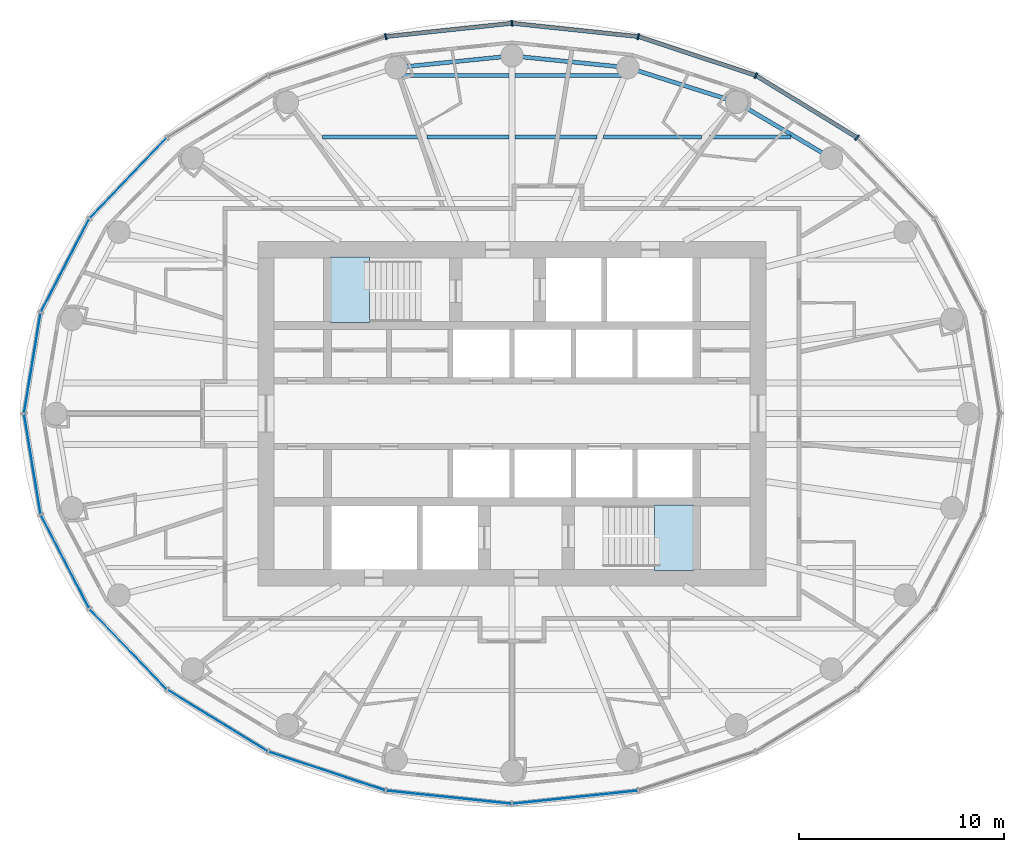
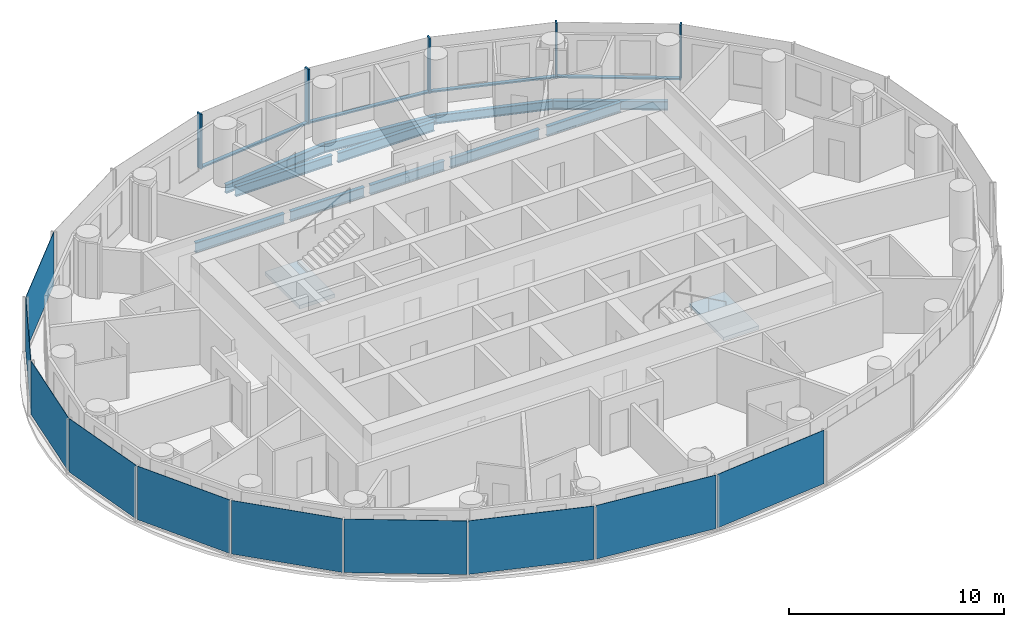
# One storey, part 4 of 13: 11 beams, 10 plates, 9 members, 2 slabs, 6 elements without a shape of their own.
"""IFC4 building model written with IfcOpenShell, lengths in metres."""

from ifc_helpers import new_model, si_unit, direction, frame, origin, origin_2d, place, context, subcontext, project, spatial, polyline, rectangle, i_section, outline, extrude, material, layer, layer_set, material_profile, profile_set, type_object, element, aggregate, save


model = new_model("IFC4")

# Units and contexts
model_context = context("Model", 3, precision=1e-05, world=origin(), true_north=direction((0.0, 1.0)))
body_context = subcontext(model_context, "Body", "Model", "MODEL_VIEW")
ifc_project = project(units=[si_unit("LENGTHUNIT", "METRE"), si_unit("AREAUNIT", "SQUARE_METRE"), si_unit("VOLUMEUNIT", "CUBIC_METRE"), si_unit("PLANEANGLEUNIT", "RADIAN"), si_unit("MASSUNIT", "GRAM", prefix="KILO")], contexts=[model_context])

# Site, building, storey
site_placement = place(None, origin())
site = spatial("IfcSite", under=ifc_project, at=site_placement, CompositionType="ELEMENT")
building_placement = place(site_placement, origin())
building = spatial("IfcBuilding", under=site, at=building_placement, Name="Hankou Lantern Tower", CompositionType="ELEMENT")
storey_placement = place(building_placement, frame((0.0, 0.0, 156.60009765625)))
storey = spatial("IfcBuildingStorey", under=building, at=storey_placement, Name="L41", CompositionType="ELEMENT", Elevation=156.60009765625)

# Beams
ifc_material_1 = material(Name="Steel Q355B", Category="steel")
ifc_material_profile_1 = material_profile(ifc_material_1, i_section(OverallWidth=0.199951171875, OverallDepth=0.5, WebThickness=0.010009765625, FlangeThickness=0.01611328125, FilletRadius=0.012939453125, at=origin_2d()), Name="HN500x200x10x16")
ifc_profile_set_1 = profile_set([ifc_material_profile_1], Name="Steel Q355B")
beam_type_1 = type_object("IfcBeamType", Name="EB5 RING BEAM HN500x200x10x16", PredefinedType="SPANDREL", material=ifc_profile_set_1)
beam_1_placement = place(storey_placement, frame((15.576171875, 12.4609375, -0.43017578125), z_axis=(-0.861135888339, 0.508374843806, 0.0), x_axis=(-0.508374843806, -0.861135888339, 0.0)))
element("IfcBeam", 1, at=beam_1_placement, inside=storey, type_object=beam_type_1, Name="Ring beam R04-R05 L41", PredefinedType="SPANDREL", context=body_context, shape_type="SweptSolid", body=[
    extrude(i_section(OverallWidth=0.199951171875, OverallDepth=0.5, WebThickness=0.010009765625, FlangeThickness=0.01611328125, FilletRadius=0.012939453125, at=origin_2d()), origin(), (0.0, 0.0, 1.0), 5.36083984375),
])
beam_2_placement = place(storey_placement, frame((10.959716796875, 15.186279296875, -0.43017578125), z_axis=(-0.952790404271, 0.30362879562, 0.0), x_axis=(-0.30362879562, -0.952790404271, 0.0)))
element("IfcBeam", 2, at=beam_2_placement, inside=storey, type_object=beam_type_1, Name="Ring beam R05-R06 L41", PredefinedType="SPANDREL", context=body_context, shape_type="SweptSolid", body=[
    extrude(i_section(OverallWidth=0.199951171875, OverallDepth=0.5, WebThickness=0.010009765625, FlangeThickness=0.01611328125, FilletRadius=0.012939453125, at=origin_2d()), origin(), (0.0, 0.0, 1.0), 5.56982421875),
])
for number, where, z_axis, x_axis, name in (
    (3, (5.65283203125, 16.87744140625, -0.43017578125), (-0.9949104636, 0.100762936734, 0.0), (-0.100762936734, -0.9949104636, 0.0), "Ring beam R06-R07 L41"),
    (4, (0.0, 17.449951171875, -0.43017578125), (-0.9949104636, -0.100762936734, 0.0), (0.100762936734, -0.9949104636, 0.0), "Ring beam R07-R08 L41"),
):
    element("IfcBeam", number, at=place(storey_placement, frame(where, z_axis=z_axis, x_axis=x_axis)), inside=storey, type_object=beam_type_1, Name=name, PredefinedType="SPANDREL", context=body_context, shape_type="SweptSolid", body=[
        extrude(i_section(OverallWidth=0.199951171875, OverallDepth=0.5, WebThickness=0.010009765625, FlangeThickness=0.01611328125, FilletRadius=0.012939453125, at=origin_2d()), origin(), (0.0, 0.0, 1.0), 5.681640625),
    ])

# Curtain wall, members
ifc_material_2 = material(Name="Glass, dark grey tinted laminated", Category="glass")
curtain_wall_type = type_object("IfcCurtainWallType", Name="CWC OUTER SKIN HIGH-RISE", PredefinedType="USERDEFINED", material=ifc_material_2)
curtain_wall_1_placement = place(storey_placement, origin())
curtain_wall_1 = element("IfcCurtainWall", 5, at=curtain_wall_1_placement, inside=storey, type_object=curtain_wall_type, Name="CWC L41 OS1", ObjectType="OUTER SKIN HIGH-RISE", PredefinedType="USERDEFINED")
ifc_material_3 = material(Name="Aluminium, black anodised", Category="aluminium")
ifc_material_profile_2 = material_profile(ifc_material_3, rectangle(XDim=0.080078125, YDim=0.300048828125, at=origin_2d()), Name="MU1 80X300")
ifc_profile_set_2 = profile_set([ifc_material_profile_2], Name="Aluminium, black anodised")
member_type_1 = type_object("IfcMemberType", Name="MU1 OUTER SKIN MULLION 80X300", PredefinedType="MULLION", material=ifc_profile_set_2)
member_1_placement = place(storey_placement, frame((16.8291015625, 13.46337890625, 0.0), z_axis=(0.0, 0.0, 1.0), x_axis=(-0.780868809444, 0.624695047553, 0.0)))
member_1 = element("IfcMember", 6, at=member_1_placement, type_object=member_type_1, Name="CWC mullion 4", PredefinedType="MULLION", context=body_context, shape_type="SweptSolid", body=[
    extrude(rectangle(XDim=0.080078125, YDim=0.300048828125, at=origin_2d()), origin(), (0.0, 0.0, 1.0), 3.119873046875),
])
member_2_placement = place(storey_placement, frame((11.89990234375, 16.489013671875, 0.0), z_axis=(0.0, 0.0, 1.0), x_axis=(-0.907841299004, 0.419313934686, 0.0)))
member_2 = element("IfcMember", 7, at=member_2_placement, type_object=member_type_1, Name="CWC mullion 5", PredefinedType="MULLION", context=body_context, shape_type="SweptSolid", body=[
    extrude(rectangle(XDim=0.080078125, YDim=0.300048828125, at=origin_2d()), origin(), (0.0, 0.0, 1.0), 3.119873046875),
])
member_3_placement = place(storey_placement, frame((6.159912109375, 18.39111328125, 0.0), z_axis=(0.0, 0.0, 1.0), x_axis=(-0.977787659625, 0.209597931016, 0.0)))
member_3 = element("IfcMember", 8, at=member_3_placement, type_object=member_type_1, Name="CWC mullion 6", PredefinedType="MULLION", context=body_context, shape_type="SweptSolid", body=[
    extrude(rectangle(XDim=0.080078125, YDim=0.300048828125, at=origin_2d()), origin(), (0.0, 0.0, 1.0), 3.119873046875),
])

curtain_wall_2_placement = place(storey_placement, origin())
curtain_wall_2 = element("IfcCurtainWall", 9, at=curtain_wall_2_placement, inside=storey, type_object=curtain_wall_type, Name="CWC L41 OS2", ObjectType="OUTER SKIN HIGH-RISE", PredefinedType="USERDEFINED")
member_4_placement = place(storey_placement, frame((0.0, 19.0400390625, 0.0), z_axis=(0.0, 0.0, 1.0), x_axis=(-0.994499359107, -0.104742659579, 0.0)))
member_4 = element("IfcMember", 10, at=member_4_placement, type_object=member_type_1, Name="CWC mullion 1", PredefinedType="MULLION", context=body_context, shape_type="SweptSolid", body=[
    extrude(rectangle(XDim=0.080078125, YDim=0.300048828125, at=origin_2d()), origin(), (0.0, 0.0, 1.0), 3.119873046875),
])
member_5_placement = place(storey_placement, frame((-6.159912109375, 18.39111328125, 0.0), z_axis=(0.0, 0.0, 1.0), x_axis=(-0.977787659625, -0.209597931016, 0.0)))
member_5 = element("IfcMember", 11, at=member_5_placement, type_object=member_type_1, Name="CWC mullion 2", PredefinedType="MULLION", context=body_context, shape_type="SweptSolid", body=[
    extrude(rectangle(XDim=0.080078125, YDim=0.300048828125, at=origin_2d()), origin(), (0.0, 0.0, 1.0), 3.119873046875),
])

# Beams
ifc_material_4 = material(Name="Steel Q355B", Category="steel")
ifc_material_profile_3 = material_profile(ifc_material_4, i_section(OverallWidth=0.199951171875, OverallDepth=0.550048828125, WebThickness=0.010009765625, FlangeThickness=0.01611328125, FilletRadius=0.012939453125, at=origin_2d()), Name="HN550x200x10x16")
ifc_profile_set_3 = profile_set([ifc_material_profile_3], Name="Steel Q355B")
beam_type_2 = type_object("IfcBeamType", Name="SB6 SECONDARY BEAM HN550x200x10x16", PredefinedType="JOIST", material=ifc_profile_set_3)
beam_3_placement = place(storey_placement, frame((-9.23974609375, 13.5, -0.455078125), z_axis=(1.0, 0.0, 0.0), x_axis=(0.0, 1.0, 0.0)))
element("IfcBeam", 12, at=beam_3_placement, inside=storey, type_object=beam_type_2, Name="Floor joist J036 L41", PredefinedType="JOIST", context=body_context, shape_type="SweptSolid", body=[
    extrude(i_section(OverallWidth=0.199951171875, OverallDepth=0.550048828125, WebThickness=0.010009765625, FlangeThickness=0.01611328125, FilletRadius=0.012939453125, at=origin_2d()), origin(), (0.0, 0.0, 1.0), 4.780517578125),
])
for number, where, z_axis, x_axis, name in (
    (13, (-4.135986328125, 13.5, -0.455078125), (1.0, 0.0, 0.0), (0.0, 1.0, 0.0), "Floor joist J037 L41"),
    (14, (0.14990234375, 13.5, -0.455078125), (1.0, 0.0, 0.0), (0.0, 1.0, 0.0), "Floor joist J038 L41"),
):
    element("IfcBeam", number, at=place(storey_placement, frame(where, z_axis=z_axis, x_axis=x_axis)), inside=storey, type_object=beam_type_2, Name=name, PredefinedType="JOIST", context=body_context, shape_type="SweptSolid", body=[
        extrude(i_section(OverallWidth=0.199951171875, OverallDepth=0.550048828125, WebThickness=0.010009765625, FlangeThickness=0.01611328125, FilletRadius=0.012939453125, at=origin_2d()), origin(), (0.0, 0.0, 1.0), 3.986083984375),
    ])
beam_4_placement = place(storey_placement, frame((4.459228515625, 13.5, -0.455078125), z_axis=(1.0, 0.0, 0.0), x_axis=(0.0, 1.0, 0.0)))
element("IfcBeam", 15, at=beam_4_placement, inside=storey, type_object=beam_type_2, Name="Floor joist J039 L41", PredefinedType="JOIST", context=body_context, shape_type="SweptSolid", body=[
    extrude(i_section(OverallWidth=0.199951171875, OverallDepth=0.550048828125, WebThickness=0.010009765625, FlangeThickness=0.01611328125, FilletRadius=0.012939453125, at=origin_2d()), origin(), (0.0, 0.0, 1.0), 4.780517578125),
])
beam_5_placement = place(storey_placement, frame((9.643310546875, 13.5, -0.455078125), z_axis=(1.0, 0.0, 0.0), x_axis=(0.0, 1.0, 0.0)))
element("IfcBeam", 16, at=beam_5_placement, inside=storey, type_object=beam_type_2, Name="Floor joist J040 L41", PredefinedType="JOIST", context=body_context, shape_type="SweptSolid", body=[
    extrude(i_section(OverallWidth=0.199951171875, OverallDepth=0.550048828125, WebThickness=0.010009765625, FlangeThickness=0.01611328125, FilletRadius=0.012939453125, at=origin_2d()), origin(), (0.0, 0.0, 1.0), 3.97607421875),
])
for number, where, z_axis, x_axis, name in (
    (17, (-5.33984375, 16.5, -0.455078125), (1.0, 0.0, 0.0), (0.0, 1.0, 0.0), "Floor joist J041 L41"),
    (18, (0.14990234375, 16.5, -0.455078125), (1.0, 0.0, 0.0), (0.0, 1.0, 0.0), "Floor joist J042 L41"),
):
    element("IfcBeam", number, at=place(storey_placement, frame(where, z_axis=z_axis, x_axis=x_axis)), inside=storey, type_object=beam_type_2, Name=name, PredefinedType="JOIST", context=body_context, shape_type="SweptSolid", body=[
        extrude(i_section(OverallWidth=0.199951171875, OverallDepth=0.550048828125, WebThickness=0.010009765625, FlangeThickness=0.01611328125, FilletRadius=0.012939453125, at=origin_2d()), origin(), (0.0, 0.0, 1.0), 5.18994140625),
    ])

# Member
ifc_material_5 = material(Name="Aluminium, black anodised", Category="aluminium")
ifc_material_profile_4 = material_profile(ifc_material_5, rectangle(XDim=0.199951171875, YDim=0.080078125, at=origin_2d()), Name="TR1 200X80")
ifc_profile_set_4 = profile_set([ifc_material_profile_4], Name="Aluminium, black anodised")
member_type_2 = type_object("IfcMemberType", Name="TR1 OUTER SKIN TRANSOM 200X80", PredefinedType="USERDEFINED", material=ifc_profile_set_4)
member_6_placement = place(storey_placement, frame((16.795166015625, 13.484130859375, 0.039794921875), z_axis=(-0.852229482357, 0.523168146394, 0.0), x_axis=(-0.523168146394, -0.852229482357, 0.0)))
member_6 = element("IfcMember", 19, at=member_6_placement, type_object=member_type_2, Name="CWC transom 4", ObjectType="TRANSOM", PredefinedType="USERDEFINED", context=body_context, shape_type="SweptSolid", body=[
    extrude(rectangle(XDim=0.199951171875, YDim=0.080078125, at=origin_2d()), origin(), (0.0, 0.0, 1.0), 5.703857421875),
])

member_7_placement = place(storey_placement, frame((11.862060546875, 16.501708984375, 0.039794921875), z_axis=(-0.949242327551, 0.314545709849, 0.0), x_axis=(-0.314545709849, -0.949242327551, 0.0)))
member_7 = element("IfcMember", 20, at=member_7_placement, type_object=member_type_2, Name="CWC transom 5", ObjectType="TRANSOM", PredefinedType="USERDEFINED", context=body_context, shape_type="SweptSolid", body=[
    extrude(rectangle(XDim=0.199951171875, YDim=0.080078125, at=origin_2d()), origin(), (0.0, 0.0, 1.0), 5.96728515625),
])

member_8_placement = place(storey_placement, frame((6.1201171875, 18.3955078125, 0.039794921875), z_axis=(-0.994499543631, 0.104740907567, 0.0), x_axis=(-0.104740907567, -0.994499543631, 0.0)))
member_8 = element("IfcMember", 21, at=member_8_placement, type_object=member_type_2, Name="CWC transom 6", ObjectType="TRANSOM", PredefinedType="USERDEFINED", context=body_context, shape_type="SweptSolid", body=[
    extrude(rectangle(XDim=0.199951171875, YDim=0.080078125, at=origin_2d()), origin(), (0.0, 0.0, 1.0), 6.114013671875),
])

aggregate(curtain_wall_1, [member_1, member_2, member_3, member_6, member_7, member_8])

member_9_placement = place(storey_placement, frame((-0.039794921875, 19.035888671875, 0.039794921875), z_axis=(-0.994499543631, -0.104740907567, 0.0), x_axis=(0.104740907567, -0.994499543631, 0.0)))
member_9 = element("IfcMember", 22, at=member_9_placement, type_object=member_type_2, Name="CWC transom 1", ObjectType="TRANSOM", PredefinedType="USERDEFINED", context=body_context, shape_type="SweptSolid", body=[
    extrude(rectangle(XDim=0.199951171875, YDim=0.080078125, at=origin_2d()), origin(), (0.0, 0.0, 1.0), 6.114013671875),
])

# Plate
ifc_material_6 = material(Name="Glass, dark grey tinted laminated", Category="glass")
ifc_layer_1 = layer(ifc_material_6, 0.02392578125)
ifc_layer_set_1 = layer_set([ifc_layer_1], Name="Glass, dark grey tinted laminated")
plate_type = type_object("IfcPlateType", Name="PN1 OUTER SKIN GLASS PANEL", PredefinedType="CURTAIN_PANEL", material=ifc_layer_set_1)
plate_1_placement = place(storey_placement, frame((-18.72021484375, 11.49169921875, 0.079833984375), z_axis=(0.0, 0.0, 1.0), x_axis=(-0.692215809936, -0.721690565599, 0.0)))
plate_1 = element("IfcPlate", 23, at=plate_1_placement, type_object=plate_type, Name="CWC glass panel 4", PredefinedType="CURTAIN_PANEL", context=body_context, shape_type="SweptSolid", body=[
    extrude(rectangle(XDim=5.384033203125, YDim=0.02392578125, at=origin_2d()), origin(), (0.0, 0.0, 1.0), 3.0400390625),
])

plate_2_placement = place(storey_placement, frame((-21.80029296875, 7.223876953125, 0.079833984375), z_axis=(0.0, 0.0, 1.0), x_axis=(-0.459791091957, -0.888027112062, 0.0)))
plate_2 = element("IfcPlate", 24, at=plate_2_placement, type_object=plate_type, Name="CWC glass panel 5", PredefinedType="CURTAIN_PANEL", context=body_context, shape_type="SweptSolid", body=[
    extrude(rectangle(XDim=5.091064453125, YDim=0.02392578125, at=origin_2d()), origin(), (0.0, 0.0, 1.0), 3.0400390625),
])

plate_3_placement = place(storey_placement, frame((-23.39453125, 2.4638671875, 0.079833984375), z_axis=(0.0, 0.0, 1.0), x_axis=(-0.162381515188, -0.986728049427, 0.0)))
plate_3 = element("IfcPlate", 25, at=plate_3_placement, type_object=plate_type, Name="CWC glass panel 6", PredefinedType="CURTAIN_PANEL", context=body_context, shape_type="SweptSolid", body=[
    extrude(rectangle(XDim=4.914306640625, YDim=0.02392578125, at=origin_2d()), origin(), (0.0, 0.0, 1.0), 3.0400390625),
])

aggregate(curtain_wall_2, [member_4, member_5, member_9, plate_1, plate_2, plate_3])

# Curtain wall, plates
curtain_wall_3_placement = place(storey_placement, origin())
curtain_wall_3 = element("IfcCurtainWall", 26, at=curtain_wall_3_placement, inside=storey, type_object=curtain_wall_type, Name="CWC L41 OS3", ObjectType="OUTER SKIN HIGH-RISE", PredefinedType="USERDEFINED")
plate_4_placement = place(storey_placement, frame((-23.39453125, -2.4638671875, 0.079833984375), z_axis=(0.0, 0.0, 1.0), x_axis=(0.162381515188, -0.986728049427, 0.0)))
plate_4 = element("IfcPlate", 27, at=plate_4_placement, type_object=plate_type, Name="CWC glass panel 1", PredefinedType="CURTAIN_PANEL", context=body_context, shape_type="SweptSolid", body=[
    extrude(rectangle(XDim=4.914306640625, YDim=0.02392578125, at=origin_2d()), origin(), (0.0, 0.0, 1.0), 3.0400390625),
])
plate_5_placement = place(storey_placement, frame((-21.80029296875, -7.223876953125, 0.079833984375), z_axis=(0.0, 0.0, 1.0), x_axis=(0.459791091957, -0.888027112062, 0.0)))
plate_5 = element("IfcPlate", 28, at=plate_5_placement, type_object=plate_type, Name="CWC glass panel 2", PredefinedType="CURTAIN_PANEL", context=body_context, shape_type="SweptSolid", body=[
    extrude(rectangle(XDim=5.091064453125, YDim=0.02392578125, at=origin_2d()), origin(), (0.0, 0.0, 1.0), 3.0400390625),
])
plate_6_placement = place(storey_placement, frame((-18.72021484375, -11.49169921875, 0.079833984375), z_axis=(0.0, 0.0, 1.0), x_axis=(0.692215809936, -0.721690565599, 0.0)))
plate_6 = element("IfcPlate", 29, at=plate_6_placement, type_object=plate_type, Name="CWC glass panel 3", PredefinedType="CURTAIN_PANEL", context=body_context, shape_type="SweptSolid", body=[
    extrude(rectangle(XDim=5.384033203125, YDim=0.02392578125, at=origin_2d()), origin(), (0.0, 0.0, 1.0), 3.0400390625),
])
plate_7_placement = place(storey_placement, frame((-14.364501953125, -14.976318359375, 0.079833984375), z_axis=(0.0, 0.0, 1.0), x_axis=(0.852237151549, -0.523155653242, 0.0)))
plate_7 = element("IfcPlate", 30, at=plate_7_placement, type_object=plate_type, Name="CWC glass panel 4", PredefinedType="CURTAIN_PANEL", context=body_context, shape_type="SweptSolid", body=[
    extrude(rectangle(XDim=5.703857421875, YDim=0.02392578125, at=origin_2d()), origin(), (0.0, 0.0, 1.0), 3.0400390625),
])
plate_8_placement = place(storey_placement, frame((-9.030029296875, -17.440185546875, 0.079833984375), z_axis=(0.0, 0.0, 1.0), x_axis=(0.949240677293, -0.31455068999, 0.0)))
plate_8 = element("IfcPlate", 31, at=plate_8_placement, type_object=plate_type, Name="CWC glass panel 5", PredefinedType="CURTAIN_PANEL", context=body_context, shape_type="SweptSolid", body=[
    extrude(rectangle(XDim=5.967041015625, YDim=0.02392578125, at=origin_2d()), origin(), (0.0, 0.0, 1.0), 3.0400390625),
])
plate_9_placement = place(storey_placement, frame((-3.079833984375, -18.715576171875, 0.079833984375), z_axis=(0.0, 0.0, 1.0), x_axis=(0.994499359107, -0.104742659579, 0.0)))
plate_9 = element("IfcPlate", 32, at=plate_9_placement, type_object=plate_type, Name="CWC glass panel 6", PredefinedType="CURTAIN_PANEL", context=body_context, shape_type="SweptSolid", body=[
    extrude(rectangle(XDim=6.114013671875, YDim=0.02392578125, at=origin_2d()), origin(), (0.0, 0.0, 1.0), 3.0400390625),
])
aggregate(curtain_wall_3, [plate_4, plate_5, plate_6, plate_7, plate_8, plate_9])

# Curtain wall, plate
curtain_wall_4_placement = place(storey_placement, origin())
curtain_wall_4 = element("IfcCurtainWall", 33, at=curtain_wall_4_placement, inside=storey, type_object=curtain_wall_type, Name="CWC L41 OS4", ObjectType="OUTER SKIN HIGH-RISE", PredefinedType="USERDEFINED")
plate_10_placement = place(storey_placement, frame((3.079833984375, -18.715576171875, 0.079833984375), z_axis=(0.0, 0.0, 1.0), x_axis=(0.994499359107, 0.104742659579, 0.0)))
plate_10 = element("IfcPlate", 34, at=plate_10_placement, type_object=plate_type, Name="CWC glass panel 1", PredefinedType="CURTAIN_PANEL", context=body_context, shape_type="SweptSolid", body=[
    extrude(rectangle(XDim=6.114013671875, YDim=0.02392578125, at=origin_2d()), origin(), (0.0, 0.0, 1.0), 3.0400390625),
])
aggregate(curtain_wall_4, [plate_10])

# Stair, slab
ifc_material_7 = material(Name="Concrete C40", Category="concrete")
stair_type = type_object("IfcStairType", Name="ST33 CORE STAIR 3300 RISE", PredefinedType="HALF_TURN_STAIR", material=ifc_material_7)
stair_1_placement = place(storey_placement, origin())
stair_1 = element("IfcStair", 35, at=stair_1_placement, inside=storey, type_object=stair_type, Name="Stair STA L41", PredefinedType="HALF_TURN_STAIR")
ifc_material_8 = material(Name="Concrete C40", Category="concrete")
ifc_layer_2 = layer(ifc_material_8, 0.199951171875)
ifc_layer_set_2 = layer_set([ifc_layer_2], Name="Concrete C40")
slab_type = type_object("IfcSlabType", Name="SL1 STAIR LANDING 200", PredefinedType="LANDING", material=ifc_layer_set_2)
slab_1_placement = place(storey_placement, frame((0.0, 0.0, 1.371337890625)))
slab_1 = element("IfcSlab", 36, at=slab_1_placement, type_object=slab_type, Name="STA landing 1", PredefinedType="LANDING", context=body_context, shape_type="SweptSolid", body=[
    extrude(outline(polyline([(-8.85009765625, 4.449951171875), (-6.949951171875, 4.449951171875), (-6.949951171875, 7.64990234375), (-8.85009765625, 7.64990234375), (-8.85009765625, 4.449951171875)])), origin(), (0.0, 0.0, 1.0), 0.199951171875),
])
aggregate(stair_1, [slab_1])

stair_2_placement = place(storey_placement, origin())
stair_2 = element("IfcStair", 37, at=stair_2_placement, inside=storey, type_object=stair_type, Name="Stair STB L41", PredefinedType="HALF_TURN_STAIR")
slab_2_placement = place(storey_placement, frame((0.0, 0.0, 1.371337890625)))
slab_2 = element("IfcSlab", 38, at=slab_2_placement, type_object=slab_type, Name="STB landing 1", PredefinedType="LANDING", context=body_context, shape_type="SweptSolid", body=[
    extrude(outline(polyline([(8.85009765625, -4.449951171875), (6.949951171875, -4.449951171875), (6.949951171875, -7.64990234375), (8.85009765625, -7.64990234375), (8.85009765625, -4.449951171875)])), origin(), (0.0, 0.0, 1.0), 0.199951171875),
])
aggregate(stair_2, [slab_2])

save(model, "model.ifc")
